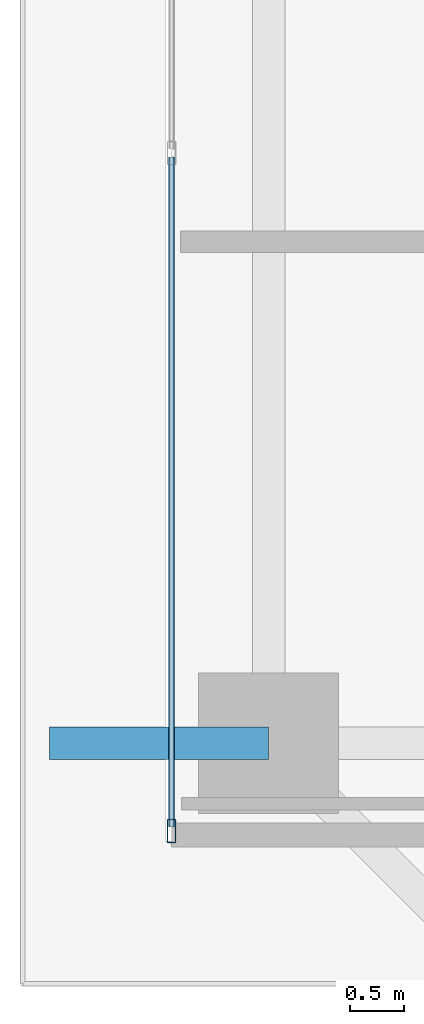
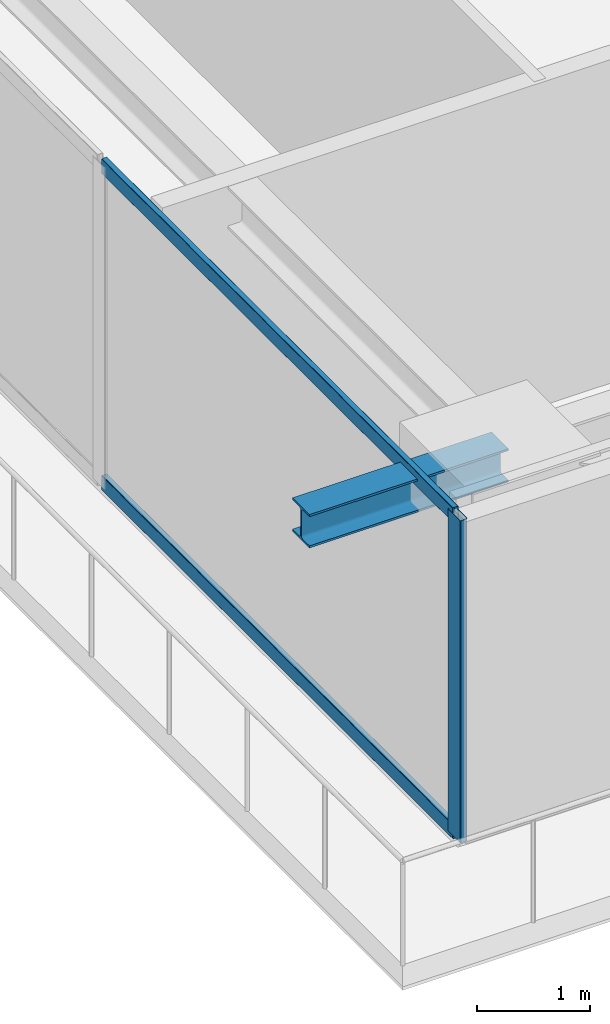
# One storey, part 3 of 35: 3 members, 1 beam, 1 element without a shape of its own.
"""IFC4 building model written with IfcOpenShell, lengths in metres."""

from ifc_helpers import new_model, si_unit, direction, frame, origin, origin_2d, place, context, subcontext, project, spatial, hollow_rectangle, i_section, extrude, source, transform, mapped, material, layer, layer_set, material_profile, profile_set, type_object, element, aggregate, save


model = new_model("IFC4")

# Units and contexts
model_context = context("Model", 3, precision=1e-05, world=origin(), true_north=direction((0.0, 1.0)))
body_context = subcontext(model_context, "Body", "Model", "MODEL_VIEW")
ifc_project = project(units=[si_unit("LENGTHUNIT", "METRE"), si_unit("AREAUNIT", "SQUARE_METRE"), si_unit("VOLUMEUNIT", "CUBIC_METRE"), si_unit("PLANEANGLEUNIT", "RADIAN"), si_unit("MASSUNIT", "GRAM", prefix="KILO")], contexts=[model_context])

# Site, building, storey
site_placement = place(None, origin())
site = spatial("IfcSite", under=ifc_project, at=site_placement, CompositionType="ELEMENT")
building_placement = place(site_placement, origin())
building = spatial("IfcBuilding", under=site, at=building_placement, Name="Serunith Strait Residences", CompositionType="ELEMENT")
storey_placement = place(building_placement, frame((0.0, 0.0, 191.39990234375)))
storey = spatial("IfcBuildingStorey", under=building, at=storey_placement, Name="L48", CompositionType="ELEMENT", Elevation=191.39990234375)

# Beam
ifc_material_1 = material(Name="Steel S355J2", Category="steel")
ifc_material_profile_1 = material_profile(ifc_material_1, i_section(OverallWidth=0.300048828125, OverallDepth=0.360107421875, WebThickness=0.012451171875, FlangeThickness=0.0224609375, FilletRadius=0.027099609375, at=origin_2d()), Name="HEB 360")
ifc_profile_set_1 = profile_set([ifc_material_profile_1], Name="Steel S355J2")
beam_type = type_object("IfcBeamType", Name="BM-HEB360", PredefinedType="BEAM", material=ifc_profile_set_1)
shared_shape_1 = source(origin(), body_context, "Body", "SweptSolid", [
    extrude(i_section(OverallWidth=0.300048828125, OverallDepth=0.360107421875, WebThickness=0.012451171875, FlangeThickness=0.0224609375, FilletRadius=0.027099609375, at=origin_2d()), origin(), (0.0, 0.0, 1.0), 2.030029296875),
])
beam_placement = place(storey_placement, frame((8.699951171875, 10.25, 3.277099609375), z_axis=(-1.0, 0.0, 0.0), x_axis=(0.0, -1.0, 0.0)))
element("IfcBeam", 1, at=beam_placement, inside=storey, type_object=beam_type, Name="L49 Cantilevered Balcony Rib TC-W1", PredefinedType="BEAM", context=body_context, shape_type="MappedRepresentation", body=[
    mapped(shared_shape_1, transform((0.0, 0.0, 0.0), scale=1.0)),
])

# Curtain wall, members
ifc_material_2 = material(Name="Pale-Silver PVDF Aluminium", Category="aluminium")
ifc_layer = layer(ifc_material_2, 0.199951171875, Name="Pale-Silver PVDF Aluminium")
ifc_layer_set = layer_set([ifc_layer], Name="Pale-Silver PVDF Aluminium")
curtain_wall_type = type_object("IfcCurtainWallType", Name="CW-SYS3", PredefinedType="NOTDEFINED", material=ifc_layer_set)
curtain_wall_placement = place(storey_placement, origin())
curtain_wall = element("IfcCurtainWall", 2, at=curtain_wall_placement, inside=storey, type_object=curtain_wall_type, Name="L48 W Unitised Fritted Curtain Wall", PredefinedType="NOTDEFINED")
ifc_material_profile_2 = material_profile(ifc_material_2, hollow_rectangle(XDim=0.074951171875, YDim=0.219970703125, WallThickness=0.00390625, InnerFilletRadius=0.006103515625, OuterFilletRadius=0.010009765625, at=origin_2d()), Name="ALU 220x75x4")
ifc_profile_set_2 = profile_set([ifc_material_profile_2], Name="Pale-Silver PVDF Aluminium")
member_type_1 = type_object("IfcMemberType", Name="CW-SYS3-MULL", PredefinedType="MULLION", material=ifc_profile_set_2)
shared_shape_2 = source(origin(), body_context, "Body", "SweptSolid", [
    extrude(hollow_rectangle(XDim=0.074951171875, YDim=0.219970703125, WallThickness=0.00390625, InnerFilletRadius=0.006103515625, OuterFilletRadius=0.010009765625, at=origin_2d()), origin(), (0.0, 0.0, 1.0), 3.47509765625),
])
member_1_placement = place(storey_placement, frame((7.800048828125, 9.4375, 0.0), z_axis=(0.0, 0.0, 1.0), x_axis=(1.0, 0.0, 0.0)))
member_1 = element("IfcMember", 3, at=member_1_placement, type_object=member_type_1, Name="CW-3 mullion 6", PredefinedType="MULLION", context=body_context, shape_type="MappedRepresentation", body=[
    mapped(shared_shape_2, transform((0.0, 0.0, 0.0), scale=1.0)),
])
ifc_material_profile_3 = material_profile(ifc_material_2, hollow_rectangle(XDim=0.06005859375, YDim=0.159912109375, WallThickness=0.00341796875, InnerFilletRadius=0.00537109375, OuterFilletRadius=0.0087890625, at=origin_2d()), Name="ALU 160x60x3.5")
ifc_profile_set_3 = profile_set([ifc_material_profile_3], Name="Pale-Silver PVDF Aluminium")
member_type_2 = type_object("IfcMemberType", Name="CW-SYS3-TRAN", PredefinedType="USERDEFINED", material=ifc_profile_set_3)
shared_shape_3 = source(origin(), body_context, "Body", "SweptSolid", [
    extrude(hollow_rectangle(XDim=0.06005859375, YDim=0.159912109375, WallThickness=0.00341796875, InnerFilletRadius=0.00537109375, OuterFilletRadius=0.0087890625, at=origin_2d()), origin(), (0.0, 0.0, 1.0), 6.20751953125),
])
member_2_placement = place(storey_placement, frame((7.800048828125, 15.6826171875, 0.030029296875), z_axis=(0.0, -1.0, 0.0), x_axis=(1.0, 0.0, 0.0)))
member_2 = element("IfcMember", 4, at=member_2_placement, type_object=member_type_2, Name="CW-3 transom 5.1", ObjectType="TRANSOM", PredefinedType="USERDEFINED", context=body_context, shape_type="MappedRepresentation", body=[
    mapped(shared_shape_3, transform((0.0, 0.0, 0.0), scale=1.0)),
])
member_3_placement = place(storey_placement, frame((7.800048828125, 15.6826171875, 3.445068359375), z_axis=(0.0, -1.0, 0.0), x_axis=(1.0, 0.0, 0.0)))
member_3 = element("IfcMember", 5, at=member_3_placement, type_object=member_type_2, Name="CW-3 transom 5.2", ObjectType="TRANSOM", PredefinedType="USERDEFINED", context=body_context, shape_type="MappedRepresentation", body=[
    mapped(shared_shape_3, transform((0.0, 0.0, 0.0), scale=1.0)),
])
aggregate(curtain_wall, [member_1, member_2, member_3])

save(model, "model.ifc")
